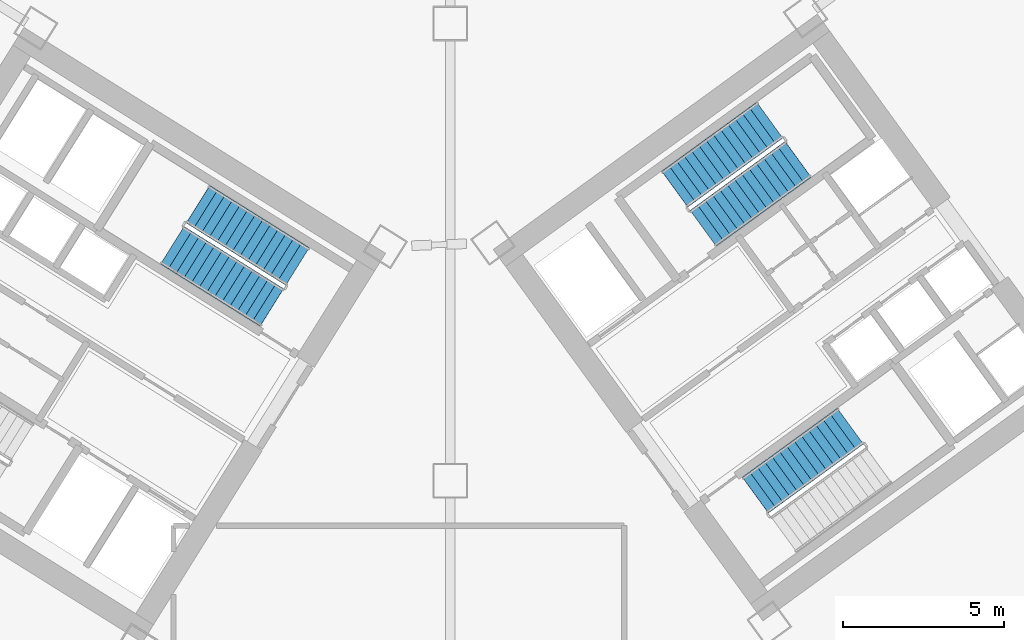
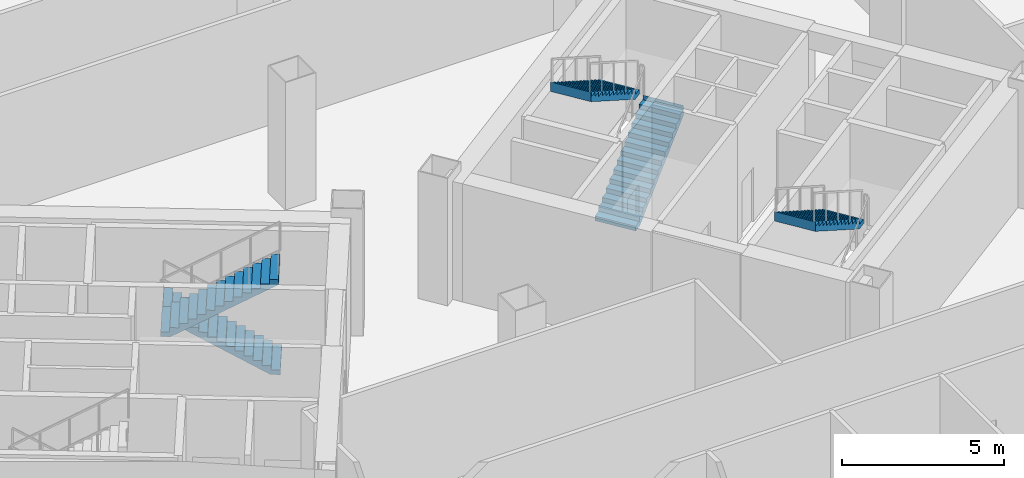
# One storey, part 15 of 22: 5 stair flights, 3 elements without a shape of their own.
"""IFC4 building model written with IfcOpenShell, lengths in metres."""

from ifc_helpers import new_model, si_unit, direction, frame, origin, place, context, subcontext, project, spatial, polyline, outline, extrude, source, transform, mapped, material, type_object, element, aggregate, save


model = new_model("IFC4")

# Units and contexts
model_context = context("Model", 3, precision=1e-05, world=origin(), true_north=direction((0.0, 1.0)))
body_context = subcontext(model_context, "Body", "Model", "MODEL_VIEW")
ifc_project = project(units=[si_unit("LENGTHUNIT", "METRE"), si_unit("AREAUNIT", "SQUARE_METRE"), si_unit("VOLUMEUNIT", "CUBIC_METRE"), si_unit("PLANEANGLEUNIT", "RADIAN"), si_unit("MASSUNIT", "GRAM", prefix="KILO")], contexts=[model_context])

# Site, building, storey
site_placement = place(None, origin())
site = spatial("IfcSite", under=ifc_project, at=site_placement, CompositionType="ELEMENT")
building_placement = place(site_placement, origin())
building = spatial("IfcBuilding", under=site, at=building_placement, Name="Tlacorven Tower", CompositionType="ELEMENT")
storey_placement = place(building_placement, frame((0.0, 0.0, 5.39990234375)))
storey = spatial("IfcBuildingStorey", under=building, at=storey_placement, Name="L01", CompositionType="ELEMENT", Elevation=5.39990234375)

# Stair, stair flights
ifc_material = material(Name="Concrete C40/50", Category="concrete")
stair_type = type_object("IfcStairType", Name="ST-CORE-DLG", PredefinedType="HALF_TURN_STAIR", material=ifc_material)
stair_1_placement = place(storey_placement, origin())
stair_1 = element("IfcStair", 1, at=stair_1_placement, inside=storey, type_object=stair_type, Name="L01 Protected Exit Stair West 2", PredefinedType="HALF_TURN_STAIR")
stair_flight_type = type_object("IfcStairFlightType", Name="SFL-RC-1380", PredefinedType="STRAIGHT", material=ifc_material)
shared_shape = source(origin(), body_context, "Body", "SweptSolid", [
    extrude(outline(polyline([(-0.0029296875, -0.0029296875), (-0.0029296875, 0.17138671875), (0.280029296875, 0.17138671875), (0.280029296875, 0.3427734375), (0.56005859375, 0.3427734375), (0.56005859375, 0.514404296875), (0.840087890625, 0.514404296875), (0.840087890625, 0.685791015625), (1.1201171875, 0.685791015625), (1.1201171875, 0.857177734375), (1.39990234375, 0.857177734375), (1.39990234375, 1.028564453125), (1.679931640625, 1.028564453125), (1.679931640625, 1.199951171875), (1.9599609375, 1.199951171875), (1.9599609375, 1.371337890625), (2.239990234375, 1.371337890625), (2.239990234375, 1.54296875), (2.52001953125, 1.54296875), (2.52001953125, 1.71435546875), (2.800048828125, 1.71435546875), (2.800048828125, 1.8857421875), (3.080078125, 1.8857421875), (3.080078125, 2.05712890625), (3.360107421875, 2.05712890625), (3.360107421875, 2.228515625), (3.639892578125, 2.228515625), (3.639892578125, 2.39990234375), (3.64306640625, 2.39990234375), (3.64306640625, 2.041015625), (3.639892578125, 2.041015625), (0.30615234375, 0.0), (0.30615234375, -0.0029296875), (-0.0029296875, -0.0029296875)])), frame((0.0, 0.68994140625, 0.0), z_axis=(0.0, -1.0, 0.0), x_axis=(1.0, 0.0, 0.0)), (0.0, 0.0, 1.0), 1.3798828125),
])
stair_flight_1_placement = place(storey_placement, frame((38.051513671875, 23.852294921875, 0.0), z_axis=(0.0, 0.0, 1.0), x_axis=(-0.848048096156, 0.529919264233, 0.0)))
stair_flight_1 = element("IfcStairFlight", 2, at=stair_flight_1_placement, type_object=stair_flight_type, Name="ST-W2 flight 1", NumberOfRisers=14, NumberOfTreads=13, PredefinedType="STRAIGHT", RiserHeight=0.171428571, TreadLength=0.28, context=body_context, shape_type="MappedRepresentation", body=[
    mapped(shared_shape, transform((0.0, 0.0, 0.0), scale=1.0)),
])
stair_flight_2_placement = place(storey_placement, frame((34.169677734375, 24.509033203125, 2.400146484375), z_axis=(0.0, 0.0, 1.0), x_axis=(0.848048096156, -0.529919264233, 0.0)))
stair_flight_2 = element("IfcStairFlight", 3, at=stair_flight_2_placement, type_object=stair_flight_type, Name="ST-W2 flight 2", NumberOfRisers=14, NumberOfTreads=13, PredefinedType="STRAIGHT", RiserHeight=0.171428571, TreadLength=0.28, context=body_context, shape_type="MappedRepresentation", body=[
    mapped(shared_shape, transform((0.0, 0.0, 0.0), scale=1.0)),
])
aggregate(stair_1, [stair_flight_1, stair_flight_2])

stair_2_placement = place(storey_placement, origin())
stair_2 = element("IfcStair", 4, at=stair_2_placement, inside=storey, type_object=stair_type, Name="L01 Protected Exit Stair East 1", PredefinedType="HALF_TURN_STAIR")
stair_flight_3_placement = place(storey_placement, frame((50.6533203125, 25.0400390625, 0.0), z_axis=(0.0, 0.0, 1.0), x_axis=(0.809016994375, 0.587785252292, 0.0)))
stair_flight_3 = element("IfcStairFlight", 5, at=stair_flight_3_placement, type_object=stair_flight_type, Name="ST-E1 flight 1", NumberOfRisers=14, NumberOfTreads=13, PredefinedType="STRAIGHT", RiserHeight=0.171428571, TreadLength=0.28, context=body_context, shape_type="MappedRepresentation", body=[
    mapped(shared_shape, transform((0.0, 0.0, 0.0), scale=1.0)),
])
stair_flight_4_placement = place(storey_placement, frame((52.716552734375, 28.39306640625, 2.400146484375), z_axis=(0.0, 0.0, 1.0), x_axis=(-0.809016994375, -0.587785252292, 0.0)))
stair_flight_4 = element("IfcStairFlight", 6, at=stair_flight_4_placement, type_object=stair_flight_type, Name="ST-E1 flight 2", NumberOfRisers=14, NumberOfTreads=13, PredefinedType="STRAIGHT", RiserHeight=0.171428571, TreadLength=0.28, context=body_context, shape_type="MappedRepresentation", body=[
    mapped(shared_shape, transform((0.0, 0.0, 0.0), scale=1.0)),
])
aggregate(stair_2, [stair_flight_3, stair_flight_4])

# Stair, stair flight
stair_3_placement = place(storey_placement, origin())
stair_3 = element("IfcStair", 7, at=stair_3_placement, inside=storey, type_object=stair_type, Name="L01 Protected Exit Stair East 2", PredefinedType="HALF_TURN_STAIR")
stair_flight_5_placement = place(storey_placement, frame((55.220458984375, 18.889892578125, 2.400146484375), z_axis=(0.0, 0.0, 1.0), x_axis=(-0.809016994375, -0.587785252292, 0.0)))
stair_flight_5 = element("IfcStairFlight", 8, at=stair_flight_5_placement, type_object=stair_flight_type, Name="ST-E2 flight 2", NumberOfRisers=14, NumberOfTreads=13, PredefinedType="STRAIGHT", RiserHeight=0.171428571, TreadLength=0.28, context=body_context, shape_type="MappedRepresentation", body=[
    mapped(shared_shape, transform((0.0, 0.0, 0.0), scale=1.0)),
])
aggregate(stair_3, [stair_flight_5])

save(model, "model.ifc")
